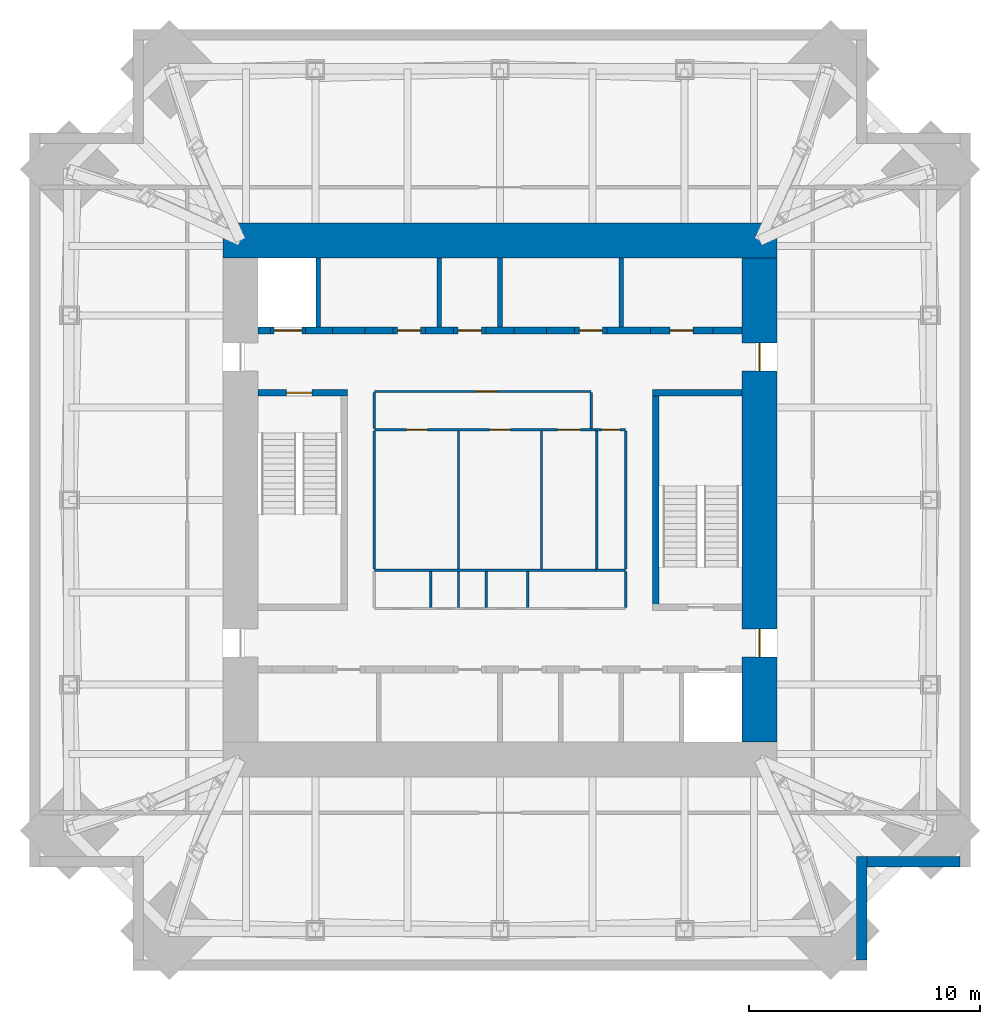
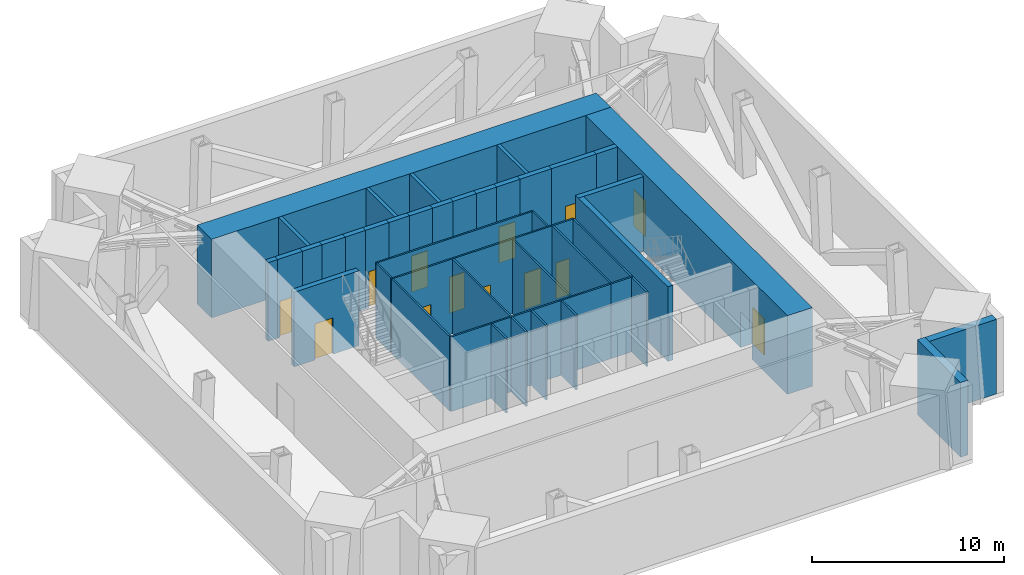
# One storey, part 4 of 6: 43 walls, 13 doors, 13 openings.
"""IFC4 building model written with IfcOpenShell, lengths in metres."""

from ifc_helpers import new_model, si_unit, direction, frame, frame_2d, origin, place, context, subcontext, project, spatial, rectangle, extrude, material, layer, layer_set, type_object, element, fill, save


model = new_model("IFC4")

# Units and contexts
model_context = context("Model", 3, precision=1e-05, world=origin(), true_north=direction((0.0, 1.0)))
body_context = subcontext(model_context, "Body", "Model", "MODEL_VIEW")
ifc_project = project(units=[si_unit("LENGTHUNIT", "METRE"), si_unit("AREAUNIT", "SQUARE_METRE"), si_unit("VOLUMEUNIT", "CUBIC_METRE"), si_unit("PLANEANGLEUNIT", "RADIAN"), si_unit("MASSUNIT", "GRAM", prefix="KILO")], contexts=[model_context])

# Site, building, storey
site_placement = place(None, origin())
site = spatial("IfcSite", under=ifc_project, at=site_placement, CompositionType="ELEMENT")
building_placement = place(site_placement, origin())
building = spatial("IfcBuilding", under=site, at=building_placement, Name="Peilmerk Tower", CompositionType="ELEMENT")
storey_placement = place(building_placement, frame((0.0, 0.0, 302.800048828125)))
storey = spatial("IfcBuildingStorey", under=building, at=storey_placement, Name="L68", CompositionType="ELEMENT", Elevation=302.800048828125)

# Walls
ifc_material_1 = material(Name="Precast concrete C45/55, board-marked finish", Category="concrete")
ifc_layer_1 = layer(ifc_material_1, 0.449951171875)
ifc_layer_set_1 = layer_set([ifc_layer_1], Name="Precast concrete C45/55, board-marked finish")
wall_type_1 = type_object("IfcWallType", Name="EW1 450 precast concrete facade wall, board-marked", PredefinedType="SOLIDWALL", material=ifc_layer_set_1)
wall_1_placement = place(storey_placement, frame((15.675048828125, -15.449951171875, 0.0), z_axis=(0.0, 0.0, 1.0), x_axis=(0.0, -1.0, 0.0)))
element("IfcWall", 1, at=wall_1_placement, inside=storey, type_object=wall_type_1, Name="Facade wall SEA L68", PredefinedType="SOLIDWALL", context=body_context, shape_type="SweptSolid", body=[
    extrude(rectangle(XDim=4.5, YDim=0.449951171875, at=frame_2d((2.25, 0.0))), origin(), (0.0, 0.0, 1.0), 4.75),
])
wall_2_placement = place(storey_placement, frame((15.89990234375, -15.675048828125, 0.0), z_axis=(0.0, 0.0, 1.0), x_axis=(1.0, 0.0, 0.0)))
element("IfcWall", 2, at=wall_2_placement, inside=storey, type_object=wall_type_1, Name="Facade wall SEB L68", PredefinedType="SOLIDWALL", context=body_context, shape_type="SweptSolid", body=[
    extrude(rectangle(XDim=4.050048828125, YDim=0.449951171875, at=frame_2d((2.02490234375, 0.0))), origin(), (0.0, 0.0, 1.0), 4.75),
])

# Wall, opening, door
ifc_material_2 = material(Name="Concrete C35/45", Category="concrete")
ifc_layer_2 = layer(ifc_material_2, 0.300048828125)
ifc_layer_set_2 = layer_set([ifc_layer_2], Name="Concrete C35/45")
wall_type_2 = type_object("IfcWallType", Name="IW3 300 concrete stair enclosure wall, EI 120", PredefinedType="SOLIDWALL", material=ifc_layer_set_2)
wall_3_placement = place(storey_placement, frame((-10.5, 4.64990234375, 0.0), z_axis=(0.0, 0.0, 1.0), x_axis=(1.0, 0.0, 0.0)))
wall_3 = element("IfcWall", 3, at=wall_3_placement, inside=storey, type_object=wall_type_2, Name="Stair 1 enclosure L68", PredefinedType="SOLIDWALL", context=body_context, shape_type="SweptSolid", body=[
    extrude(rectangle(XDim=3.89990234375, YDim=0.300048828125, at=frame_2d((1.949951171875, 0.0))), origin(), (0.0, 0.0, 1.0), 4.75),
])
opening_1_placement = place(wall_3_placement, frame((1.25, 0.0, 0.0)))
opening_1 = element("IfcOpeningElement", 4, at=opening_1_placement, cuts=wall_3, Name="Opening D4", PredefinedType="OPENING", context=body_context, shape_type="SweptSolid", body=[
    extrude(rectangle(XDim=1.10009765625, YDim=2.300048828125, at=frame_2d((0.550048828125, 1.14990234375))), frame((0.0, 0.159912109375, 0.0), z_axis=(0.0, -1.0, 0.0), x_axis=(1.0, 0.0, 0.0)), (0.0, 0.0, 1.0), 0.320068359375),
])
ifc_material_3 = material(Name="Steel door in steel frame", Category="steel")
door_type_1 = type_object("IfcDoorType", Name="D4 1100x2300 stair door, EI2 60", OperationType="SINGLE_SWING_RIGHT", PredefinedType="DOOR", material=ifc_material_3)
door_1_placement = place(opening_1_placement, frame((1.10009765625, 0.0, 0.0), z_axis=(0.0, 0.0, 1.0), x_axis=(-1.0, 0.0, 0.0)))
door_1 = element("IfcDoor", 5, at=door_1_placement, inside=storey, type_object=door_type_1, Name="Stair 1 door L68", OperationType="SINGLE_SWING_RIGHT", OverallHeight=2.300048828125, OverallWidth=1.10009765625, PredefinedType="DOOR", context=body_context, shape_type="SweptSolid", body=[
    extrude(rectangle(XDim=1.10009765625, YDim=2.300048828125, at=frame_2d((0.550048828125, 1.14990234375))), frame((0.0, 0.02490234375, 0.0), z_axis=(0.0, -1.0, 0.0), x_axis=(1.0, 0.0, 0.0)), (0.0, 0.0, 1.0), 0.050048828125),
])
fill(opening_1, door_1)

# Walls
wall_4_placement = place(storey_placement, frame((6.75, -4.800048828125, 0.0), z_axis=(0.0, 0.0, 1.0), x_axis=(0.0, 1.0, 0.0)))
element("IfcWall", 6, at=wall_4_placement, inside=storey, type_object=wall_type_2, Name="Stair 2 enclosure L68", PredefinedType="SOLIDWALL", context=body_context, shape_type="SweptSolid", body=[
    extrude(rectangle(XDim=9.60009765625, YDim=0.300048828125, at=frame_2d((4.800048828125, 0.0))), origin(), (0.0, 0.0, 1.0), 4.75),
])
wall_5_placement = place(storey_placement, frame((6.60009765625, 4.64990234375, 0.0), z_axis=(0.0, 0.0, 1.0), x_axis=(1.0, 0.0, 0.0)))
element("IfcWall", 7, at=wall_5_placement, inside=storey, type_object=wall_type_2, Name="Stair 2 enclosure L68", PredefinedType="SOLIDWALL", context=body_context, shape_type="SweptSolid", body=[
    extrude(rectangle(XDim=3.89990234375, YDim=0.300048828125, at=frame_2d((1.949951171875, 0.0))), origin(), (0.0, 0.0, 1.0), 4.75),
])

# Wall, openings, doors
ifc_material_4 = material(Name="Plasterboard on steel studs", Category="steel")
ifc_layer_3 = layer(ifc_material_4, 0.10009765625)
ifc_layer_set_3 = layer_set([ifc_layer_3], Name="Plasterboard on steel studs")
wall_type_3 = type_object("IfcWallType", Name="IW4 100 WC partition", PredefinedType="PARTITIONING", material=ifc_layer_set_3)
wall_6_placement = place(storey_placement, frame((-5.449951171875, 3.050048828125, 0.0), z_axis=(0.0, 0.0, 1.0), x_axis=(1.0, 0.0, 0.0)))
wall_6 = element("IfcWall", 8, at=wall_6_placement, inside=storey, type_object=wall_type_3, Name="WC wall L68", PredefinedType="PARTITIONING", context=body_context, shape_type="SweptSolid", body=[
    extrude(rectangle(XDim=9.599853515625, YDim=0.10009765625, at=frame_2d((4.7998046875, 0.0))), origin(), (0.0, 0.0, 1.0), 4.75),
])
opening_2_placement = place(wall_6_placement, frame((1.39990234375, 0.0, 0.0)))
opening_2 = element("IfcOpeningElement", 9, at=opening_2_placement, cuts=wall_6, Name="Opening D5", PredefinedType="OPENING", context=body_context, shape_type="SweptSolid", body=[
    extrude(rectangle(XDim=0.89990234375, YDim=2.300048828125, at=frame_2d((0.449951171875, 1.14990234375))), frame((0.0, 0.06005859375, 0.0), z_axis=(0.0, -1.0, 0.0), x_axis=(1.0, 0.0, 0.0)), (0.0, 0.0, 1.0), 0.1201171875),
])
opening_3_placement = place(wall_6_placement, frame((5.0, 0.0, 0.0)))
opening_3 = element("IfcOpeningElement", 10, at=opening_3_placement, cuts=wall_6, Name="Opening D5", PredefinedType="OPENING", context=body_context, shape_type="SweptSolid", body=[
    extrude(rectangle(XDim=0.89990234375, YDim=2.300048828125, at=frame_2d((0.449951171875, 1.14990234375))), frame((0.0, 0.06005859375, 0.0), z_axis=(0.0, -1.0, 0.0), x_axis=(1.0, 0.0, 0.0)), (0.0, 0.0, 1.0), 0.1201171875),
])
opening_4_placement = place(wall_6_placement, frame((7.949951171875, 0.0, 0.0)))
opening_4 = element("IfcOpeningElement", 11, at=opening_4_placement, cuts=wall_6, Name="Opening D6", PredefinedType="OPENING", context=body_context, shape_type="SweptSolid", body=[
    extrude(rectangle(XDim=1.0, YDim=2.300048828125, at=frame_2d((0.5, 1.14990234375))), frame((0.0, 0.06005859375, 0.0), z_axis=(0.0, -1.0, 0.0), x_axis=(1.0, 0.0, 0.0)), (0.0, 0.0, 1.0), 0.1201171875),
])
ifc_material_5 = material(Name="Timber door in steel frame", Category="steel")
door_type_2 = type_object("IfcDoorType", Name="D5 900x2300 WC door", OperationType="SINGLE_SWING_LEFT", PredefinedType="DOOR", material=ifc_material_5)
door_2_placement = place(opening_2_placement, frame((0.89990234375, 0.0, 0.0), z_axis=(0.0, 0.0, 1.0), x_axis=(-1.0, 0.0, 0.0)))
door_2 = element("IfcDoor", 12, at=door_2_placement, inside=storey, type_object=door_type_2, Name="Male toilets door L68", OperationType="SINGLE_SWING_LEFT", OverallHeight=2.300048828125, OverallWidth=0.89990234375, PredefinedType="DOOR", context=body_context, shape_type="SweptSolid", body=[
    extrude(rectangle(XDim=0.89990234375, YDim=2.300048828125, at=frame_2d((0.449951171875, 1.14990234375))), frame((0.0, 0.02490234375, 0.0), z_axis=(0.0, -1.0, 0.0), x_axis=(1.0, 0.0, 0.0)), (0.0, 0.0, 1.0), 0.050048828125),
])
fill(opening_2, door_2)
door_3_placement = place(opening_3_placement, frame((0.89990234375, 0.0, 0.0), z_axis=(0.0, 0.0, 1.0), x_axis=(-1.0, 0.0, 0.0)))
door_3 = element("IfcDoor", 13, at=door_3_placement, inside=storey, type_object=door_type_2, Name="Female toilets door L68", OperationType="SINGLE_SWING_LEFT", OverallHeight=2.300048828125, OverallWidth=0.89990234375, PredefinedType="DOOR", context=body_context, shape_type="SweptSolid", body=[
    extrude(rectangle(XDim=0.89990234375, YDim=2.300048828125, at=frame_2d((0.449951171875, 1.14990234375))), frame((0.0, 0.02490234375, 0.0), z_axis=(0.0, -1.0, 0.0), x_axis=(1.0, 0.0, 0.0)), (0.0, 0.0, 1.0), 0.050048828125),
])
fill(opening_3, door_3)
door_type_3 = type_object("IfcDoorType", Name="D6 1000x2300 accessible WC door", OperationType="SLIDING_TO_LEFT", PredefinedType="DOOR", material=ifc_material_5)
door_4_placement = place(opening_4_placement, frame((1.0, 0.0, 0.0), z_axis=(0.0, 0.0, 1.0), x_axis=(-1.0, 0.0, 0.0)))
door_4 = element("IfcDoor", 14, at=door_4_placement, inside=storey, type_object=door_type_3, Name="Accessible WC door L68", OperationType="SLIDING_TO_LEFT", OverallHeight=2.300048828125, OverallWidth=1.0, PredefinedType="DOOR", context=body_context, shape_type="SweptSolid", body=[
    extrude(rectangle(XDim=1.0, YDim=2.300048828125, at=frame_2d((0.5, 1.14990234375))), frame((0.0, 0.02490234375, 0.0), z_axis=(0.0, -1.0, 0.0), x_axis=(1.0, 0.0, 0.0)), (0.0, 0.0, 1.0), 0.050048828125),
])
fill(opening_4, door_4)

# Walls
wall_7_placement = place(storey_placement, frame((4.14990234375, -3.050048828125, 0.0), z_axis=(0.0, 0.0, 1.0), x_axis=(-1.0, 0.0, 0.0)))
element("IfcWall", 15, at=wall_7_placement, inside=storey, type_object=wall_type_3, Name="WC wall L68", PredefinedType="PARTITIONING", context=body_context, shape_type="SweptSolid", body=[
    extrude(rectangle(XDim=9.599853515625, YDim=0.10009765625, at=frame_2d((4.7998046875, 0.0))), origin(), (0.0, 0.0, 1.0), 4.75),
])
for number, where, z_axis, x_axis, name in (
    (16, (-5.449951171875, -3.0, 0.0), (0.0, 0.0, 1.0), (0.0, 1.0, 0.0), "WC wall L68"),
    (17, (-1.800048828125, -3.0, 0.0), (0.0, 0.0, 1.0), (0.0, 1.0, 0.0), "WC wall L68"),
    (18, (1.800048828125, -3.0, 0.0), (0.0, 0.0, 1.0), (0.0, 1.0, 0.0), "WC wall L68"),
):
    element("IfcWall", number, at=place(storey_placement, frame(where, z_axis=z_axis, x_axis=x_axis)), inside=storey, type_object=wall_type_3, Name=name, PredefinedType="PARTITIONING", context=body_context, shape_type="SweptSolid", body=[
        extrude(rectangle(XDim=6.0, YDim=0.10009765625, at=frame_2d((3.0, 0.0))), origin(), (0.0, 0.0, 1.0), 4.75),
    ])

# Wall, opening, door
ifc_material_6 = material(Name="Calcium silicate board on steel studs", Category="steel")
ifc_layer_4 = layer(ifc_material_6, 0.10009765625)
ifc_layer_set_4 = layer_set([ifc_layer_4], Name="Calcium silicate board on steel studs")
wall_type_4 = type_object("IfcWallType", Name="IW5 100 riser enclosure wall, EI 60", PredefinedType="PARTITIONING", material=ifc_layer_set_4)
wall_8_placement = place(storey_placement, frame((4.14990234375, 3.050048828125, 0.0), z_axis=(0.0, 0.0, 1.0), x_axis=(1.0, 0.0, 0.0)))
wall_8 = element("IfcWall", 19, at=wall_8_placement, inside=storey, type_object=wall_type_4, Name="Riser wall L68", PredefinedType="PARTITIONING", context=body_context, shape_type="SweptSolid", body=[
    extrude(rectangle(XDim=1.300048828125, YDim=0.10009765625, at=frame_2d((0.64990234375, 0.0))), origin(), (0.0, 0.0, 1.0), 4.75),
])
opening_5_placement = place(wall_8_placement, frame((0.25, 0.0, 0.0)))
opening_5 = element("IfcOpeningElement", 20, at=opening_5_placement, cuts=wall_8, Name="Opening D7", PredefinedType="OPENING", context=body_context, shape_type="SweptSolid", body=[
    extrude(rectangle(XDim=0.800048828125, YDim=2.300048828125, at=frame_2d((0.39990234375, 1.14990234375))), frame((0.0, 0.06005859375, 0.0), z_axis=(0.0, -1.0, 0.0), x_axis=(1.0, 0.0, 0.0)), (0.0, 0.0, 1.0), 0.1201171875),
])
door_type_4 = type_object("IfcDoorType", Name="D7 800x2300 riser access door, EI2 60", OperationType="SINGLE_SWING_RIGHT", PredefinedType="DOOR", material=ifc_material_3)
door_5_placement = place(opening_5_placement, frame((0.800048828125, 0.0, 0.0), z_axis=(0.0, 0.0, 1.0), x_axis=(-1.0, 0.0, 0.0)))
door_5 = element("IfcDoor", 21, at=door_5_placement, inside=storey, type_object=door_type_4, Name="Plumbing riser door L68", OperationType="SINGLE_SWING_RIGHT", OverallHeight=2.300048828125, OverallWidth=0.800048828125, PredefinedType="DOOR", context=body_context, shape_type="SweptSolid", body=[
    extrude(rectangle(XDim=0.800048828125, YDim=2.300048828125, at=frame_2d((0.39990234375, 1.14990234375))), frame((0.0, 0.02490234375, 0.0), z_axis=(0.0, -1.0, 0.0), x_axis=(1.0, 0.0, 0.0)), (0.0, 0.0, 1.0), 0.050048828125),
])
fill(opening_5, door_5)

# Walls
wall_9_placement = place(storey_placement, frame((5.449951171875, -3.050048828125, 0.0), z_axis=(0.0, 0.0, 1.0), x_axis=(-1.0, 0.0, 0.0)))
element("IfcWall", 22, at=wall_9_placement, inside=storey, type_object=wall_type_4, Name="Riser wall L68", PredefinedType="PARTITIONING", context=body_context, shape_type="SweptSolid", body=[
    extrude(rectangle(XDim=1.300048828125, YDim=0.10009765625, at=frame_2d((0.64990234375, 0.0))), origin(), (0.0, 0.0, 1.0), 4.75),
])
for number, where, z_axis, x_axis, name in (
    (23, (5.449951171875, 3.0, 0.0), (0.0, 0.0, 1.0), (0.0, -1.0, 0.0), "Riser wall L68"),
    (24, (4.199951171875, -3.0, 0.0), (0.0, 0.0, 1.0), (0.0, 1.0, 0.0), "Riser wall L68"),
):
    element("IfcWall", number, at=place(storey_placement, frame(where, z_axis=z_axis, x_axis=x_axis)), inside=storey, type_object=wall_type_4, Name=name, PredefinedType="PARTITIONING", context=body_context, shape_type="SweptSolid", body=[
        extrude(rectangle(XDim=6.0, YDim=0.10009765625, at=frame_2d((3.0, 0.0))), origin(), (0.0, 0.0, 1.0), 4.75),
    ])
for number, where, z_axis, x_axis, name in (
    (25, (5.449951171875, -3.10009765625, 0.0), (0.0, 0.0, 1.0), (0.0, -1.0, 0.0), "Riser wall L68"),
    (26, (-3.0, -3.10009765625, 0.0), (0.0, 0.0, 1.0), (0.0, -1.0, 0.0), "Riser wall L68"),
    (27, (-1.800048828125, -3.10009765625, 0.0), (0.0, 0.0, 1.0), (0.0, -1.0, 0.0), "Riser wall L68"),
    (28, (-0.60009765625, -3.10009765625, 0.0), (0.0, 0.0, 1.0), (0.0, -1.0, 0.0), "Riser wall L68"),
    (29, (1.199951171875, -3.10009765625, 0.0), (0.0, 0.0, 1.0), (0.0, -1.0, 0.0), "Riser wall L68"),
):
    element("IfcWall", number, at=place(storey_placement, frame(where, z_axis=z_axis, x_axis=x_axis)), inside=storey, type_object=wall_type_4, Name=name, PredefinedType="PARTITIONING", context=body_context, shape_type="SweptSolid", body=[
        extrude(rectangle(XDim=1.5498046875, YDim=0.10009765625, at=frame_2d((0.77490234375, 0.0))), origin(), (0.0, 0.0, 1.0), 4.75),
    ])

# Wall, opening, door
ifc_material_7 = material(Name="Fire-resisting plasterboard on steel studs", Category="steel")
ifc_layer_5 = layer(ifc_material_7, 0.10009765625)
ifc_layer_set_5 = layer_set([ifc_layer_5], Name="Fire-resisting plasterboard on steel studs")
wall_type_5 = type_object("IfcWallType", Name="IW9 100 WC lobby wall, EI 30", PredefinedType="PARTITIONING", material=ifc_layer_set_5)
wall_10_placement = place(storey_placement, frame((-5.449951171875, 4.699951171875, 0.0), z_axis=(0.0, 0.0, 1.0), x_axis=(1.0, 0.0, 0.0)))
wall_10 = element("IfcWall", 30, at=wall_10_placement, inside=storey, type_object=wall_type_5, Name="WC lobby wall L68", PredefinedType="PARTITIONING", context=body_context, shape_type="SweptSolid", body=[
    extrude(rectangle(XDim=9.39990234375, YDim=0.10009765625, at=frame_2d((4.699951171875, 0.0))), origin(), (0.0, 0.0, 1.0), 4.75),
])
opening_6_placement = place(wall_10_placement, frame((4.39990234375, 0.0, 0.0)))
opening_6 = element("IfcOpeningElement", 31, at=opening_6_placement, cuts=wall_10, Name="Opening D11", PredefinedType="OPENING", context=body_context, shape_type="SweptSolid", body=[
    extrude(rectangle(XDim=0.89990234375, YDim=2.300048828125, at=frame_2d((0.449951171875, 1.14990234375))), frame((0.0, 0.06005859375, 0.0), z_axis=(0.0, -1.0, 0.0), x_axis=(1.0, 0.0, 0.0)), (0.0, 0.0, 1.0), 0.1201171875),
])
door_type_5 = type_object("IfcDoorType", Name="D11 900x2300 WC lobby door, EI2 30", OperationType="SINGLE_SWING_LEFT", PredefinedType="DOOR", material=ifc_material_5)
door_6_placement = place(opening_6_placement, frame((0.89990234375, 0.0, 0.0), z_axis=(0.0, 0.0, 1.0), x_axis=(-1.0, 0.0, 0.0)))
door_6 = element("IfcDoor", 32, at=door_6_placement, inside=storey, type_object=door_type_5, Name="WC lobby door L68", OperationType="SINGLE_SWING_LEFT", OverallHeight=2.300048828125, OverallWidth=0.89990234375, PredefinedType="DOOR", context=body_context, shape_type="SweptSolid", body=[
    extrude(rectangle(XDim=0.89990234375, YDim=2.300048828125, at=frame_2d((0.449951171875, 1.14990234375))), frame((0.0, 0.02490234375, 0.0), z_axis=(0.0, -1.0, 0.0), x_axis=(1.0, 0.0, 0.0)), (0.0, 0.0, 1.0), 0.050048828125),
])
fill(opening_6, door_6)

# Walls
for number, where, z_axis, x_axis, name in (
    (33, (-5.449951171875, 3.10009765625, 0.0), (0.0, 0.0, 1.0), (0.0, 1.0, 0.0), "WC lobby wall L68"),
    (34, (3.949951171875, 3.10009765625, 0.0), (0.0, 0.0, 1.0), (0.0, 1.0, 0.0), "WC lobby wall L68"),
):
    element("IfcWall", number, at=place(storey_placement, frame(where, z_axis=z_axis, x_axis=x_axis)), inside=storey, type_object=wall_type_5, Name=name, PredefinedType="PARTITIONING", context=body_context, shape_type="SweptSolid", body=[
        extrude(rectangle(XDim=1.5498046875, YDim=0.10009765625, at=frame_2d((0.77490234375, 0.0))), origin(), (0.0, 0.0, 1.0), 4.75),
    ])
ifc_material_8 = material(Name="Calcium silicate block", Category="masonry")
ifc_layer_6 = layer(ifc_material_8, 0.199951171875)
ifc_layer_set_6 = layer_set([ifc_layer_6], Name="Calcium silicate block")
wall_type_6 = type_object("IfcWallType", Name="SH1 200 shaft dividing wall, EI 120", PredefinedType="PARTITIONING", material=ifc_layer_set_6)
for number, where, z_axis, x_axis, name in (
    (35, (-7.875, 7.5, 0.0), (0.0, 0.0, 1.0), (0.0, 1.0, 0.0), "Shaft wall N FL1 L68"),
    (36, (-2.625, 7.5, 0.0), (0.0, 0.0, 1.0), (0.0, 1.0, 0.0), "Shaft wall N A2 L68"),
    (37, (0.0, 7.5, 0.0), (0.0, 0.0, 1.0), (0.0, 1.0, 0.0), "Shaft wall N A3 L68"),
    (38, (5.25, 7.5, 0.0), (0.0, 0.0, 1.0), (0.0, 1.0, 0.0), "Shaft wall N S2 L68"),
):
    element("IfcWall", number, at=place(storey_placement, frame(where, z_axis=z_axis, x_axis=x_axis)), inside=storey, type_object=wall_type_6, Name=name, PredefinedType="PARTITIONING", context=body_context, shape_type="SweptSolid", body=[
        extrude(rectangle(XDim=3.0, YDim=0.199951171875, at=frame_2d((1.5, 0.0))), origin(), (0.0, 0.0, 1.0), 5.0),
    ])

# Wall, opening, door
ifc_layer_7 = layer(ifc_material_8, 0.300048828125)
ifc_layer_set_7 = layer_set([ifc_layer_7], Name="Calcium silicate block")
wall_type_7 = type_object("IfcWallType", Name="SH2 300 lift landing door panel, EI 120", PredefinedType="PARTITIONING", material=ifc_layer_set_7)
wall_11_placement = place(storey_placement, frame((-9.9375, 7.35009765625, 0.0), z_axis=(0.0, 0.0, 1.0), x_axis=(1.0, 0.0, 0.0)))
wall_11 = element("IfcWall", 39, at=wall_11_placement, inside=storey, type_object=wall_type_7, Name="Lift door panel N FL1 L68", PredefinedType="PARTITIONING", context=body_context, shape_type="SweptSolid", body=[
    extrude(rectangle(XDim=1.5, YDim=0.300048828125, at=frame_2d((0.75, 0.0))), origin(), (0.0, 0.0, 1.0), 5.0),
])
opening_7_placement = place(wall_11_placement, frame((0.14990234375, 0.0, 0.0)))
opening_7 = element("IfcOpeningElement", 40, at=opening_7_placement, cuts=wall_11, Name="Opening LD2", PredefinedType="OPENING", context=body_context, shape_type="SweptSolid", body=[
    extrude(rectangle(XDim=1.199951171875, YDim=2.300048828125, at=frame_2d((0.60009765625, 1.14990234375))), frame((0.0, 0.159912109375, 0.0), z_axis=(0.0, -1.0, 0.0), x_axis=(1.0, 0.0, 0.0)), (0.0, 0.0, 1.0), 0.320068359375),
])
ifc_material_9 = material(Name="Stainless steel landing door", Category="steel")
door_type_6 = type_object("IfcDoorType", Name="LD2 1200x2300 lift landing door, sliding, EI2 60", OperationType="SLIDING_TO_LEFT", PredefinedType="DOOR", material=ifc_material_9)
door_7_placement = place(opening_7_placement, frame((1.199951171875, 0.0, 0.0), z_axis=(0.0, 0.0, 1.0), x_axis=(-1.0, 0.0, 0.0)))
door_7 = element("IfcDoor", 41, at=door_7_placement, inside=storey, type_object=door_type_6, Name="Lift landing door FL1 L68", OperationType="SLIDING_TO_LEFT", OverallHeight=2.300048828125, OverallWidth=1.199951171875, PredefinedType="DOOR", context=body_context, shape_type="SweptSolid", body=[
    extrude(rectangle(XDim=1.199951171875, YDim=2.300048828125, at=frame_2d((0.60009765625, 1.14990234375))), frame((0.0, 0.02490234375, 0.0), z_axis=(0.0, -1.0, 0.0), x_axis=(1.0, 0.0, 0.0)), (0.0, 0.0, 1.0), 0.050048828125),
])
fill(opening_7, door_7)

# Wall
wall_12_placement = place(storey_placement, frame((-7.262451171875, 7.35009765625, 0.0), z_axis=(0.0, 0.0, 1.0), x_axis=(1.0, 0.0, 0.0)))
element("IfcWall", 42, at=wall_12_placement, inside=storey, type_object=wall_type_7, Name="Lift door panel N A1 L68", PredefinedType="PARTITIONING", context=body_context, shape_type="SweptSolid", body=[
    extrude(rectangle(XDim=1.39990234375, YDim=0.300048828125, at=frame_2d((0.699951171875, 0.0))), origin(), (0.0, 0.0, 1.0), 5.0),
])

# Wall, opening, door
wall_13_placement = place(storey_placement, frame((-4.637451171875, 7.35009765625, 0.0), z_axis=(0.0, 0.0, 1.0), x_axis=(1.0, 0.0, 0.0)))
wall_13 = element("IfcWall", 43, at=wall_13_placement, inside=storey, type_object=wall_type_7, Name="Lift door panel N A2 L68", PredefinedType="PARTITIONING", context=body_context, shape_type="SweptSolid", body=[
    extrude(rectangle(XDim=1.39990234375, YDim=0.300048828125, at=frame_2d((0.699951171875, 0.0))), origin(), (0.0, 0.0, 1.0), 5.0),
])
opening_8_placement = place(wall_13_placement, frame((0.199951171875, 0.0, 0.0)))
opening_8 = element("IfcOpeningElement", 44, at=opening_8_placement, cuts=wall_13, Name="Opening D10", PredefinedType="OPENING", context=body_context, shape_type="SweptSolid", body=[
    extrude(rectangle(XDim=1.0, YDim=2.300048828125, at=frame_2d((0.5, 1.14990234375))), frame((0.0, 0.159912109375, 0.0), z_axis=(0.0, -1.0, 0.0), x_axis=(1.0, 0.0, 0.0)), (0.0, 0.0, 1.0), 0.320068359375),
])
door_type_7 = type_object("IfcDoorType", Name="D10 1000x2300 core room door, EI2 60", OperationType="SINGLE_SWING_RIGHT", PredefinedType="DOOR", material=ifc_material_3)
door_8_placement = place(opening_8_placement, origin())
door_8 = element("IfcDoor", 45, at=door_8_placement, inside=storey, type_object=door_type_7, Name="Door Water plant room L68", OperationType="SINGLE_SWING_RIGHT", OverallHeight=2.300048828125, OverallWidth=1.0, PredefinedType="DOOR", context=body_context, shape_type="SweptSolid", body=[
    extrude(rectangle(XDim=1.0, YDim=2.300048828125, at=frame_2d((0.5, 1.14990234375))), frame((0.0, 0.02490234375, 0.0), z_axis=(0.0, -1.0, 0.0), x_axis=(1.0, 0.0, 0.0)), (0.0, 0.0, 1.0), 0.050048828125),
])
fill(opening_8, door_8)

wall_14_placement = place(storey_placement, frame((-2.012451171875, 7.35009765625, 0.0), z_axis=(0.0, 0.0, 1.0), x_axis=(1.0, 0.0, 0.0)))
wall_14 = element("IfcWall", 46, at=wall_14_placement, inside=storey, type_object=wall_type_7, Name="Lift door panel N A3 L68", PredefinedType="PARTITIONING", context=body_context, shape_type="SweptSolid", body=[
    extrude(rectangle(XDim=1.39990234375, YDim=0.300048828125, at=frame_2d((0.699951171875, 0.0))), origin(), (0.0, 0.0, 1.0), 5.0),
])
opening_9_placement = place(wall_14_placement, frame((0.199951171875, 0.0, 0.0)))
opening_9 = element("IfcOpeningElement", 47, at=opening_9_placement, cuts=wall_14, Name="Opening D10", PredefinedType="OPENING", context=body_context, shape_type="SweptSolid", body=[
    extrude(rectangle(XDim=1.0, YDim=2.300048828125, at=frame_2d((0.5, 1.14990234375))), frame((0.0, 0.159912109375, 0.0), z_axis=(0.0, -1.0, 0.0), x_axis=(1.0, 0.0, 0.0)), (0.0, 0.0, 1.0), 0.320068359375),
])
door_9_placement = place(opening_9_placement, origin())
door_9 = element("IfcDoor", 48, at=door_9_placement, inside=storey, type_object=door_type_7, Name="Door Pressurisation plant room L68", OperationType="SINGLE_SWING_RIGHT", OverallHeight=2.300048828125, OverallWidth=1.0, PredefinedType="DOOR", context=body_context, shape_type="SweptSolid", body=[
    extrude(rectangle(XDim=1.0, YDim=2.300048828125, at=frame_2d((0.5, 1.14990234375))), frame((0.0, 0.02490234375, 0.0), z_axis=(0.0, -1.0, 0.0), x_axis=(1.0, 0.0, 0.0)), (0.0, 0.0, 1.0), 0.050048828125),
])
fill(opening_9, door_9)

# Wall
wall_15_placement = place(storey_placement, frame((0.612548828125, 7.35009765625, 0.0), z_axis=(0.0, 0.0, 1.0), x_axis=(1.0, 0.0, 0.0)))
element("IfcWall", 49, at=wall_15_placement, inside=storey, type_object=wall_type_7, Name="Lift door panel N S1 L68", PredefinedType="PARTITIONING", context=body_context, shape_type="SweptSolid", body=[
    extrude(rectangle(XDim=1.39990234375, YDim=0.300048828125, at=frame_2d((0.699951171875, 0.0))), origin(), (0.0, 0.0, 1.0), 5.0),
])

# Wall, opening, door
wall_16_placement = place(storey_placement, frame((3.237548828125, 7.35009765625, 0.0), z_axis=(0.0, 0.0, 1.0), x_axis=(1.0, 0.0, 0.0)))
wall_16 = element("IfcWall", 50, at=wall_16_placement, inside=storey, type_object=wall_type_7, Name="Lift door panel N S2 L68", PredefinedType="PARTITIONING", context=body_context, shape_type="SweptSolid", body=[
    extrude(rectangle(XDim=1.39990234375, YDim=0.300048828125, at=frame_2d((0.699951171875, 0.0))), origin(), (0.0, 0.0, 1.0), 5.0),
])
opening_10_placement = place(wall_16_placement, frame((0.199951171875, 0.0, 0.0)))
opening_10 = element("IfcOpeningElement", 51, at=opening_10_placement, cuts=wall_16, Name="Opening D10", PredefinedType="OPENING", context=body_context, shape_type="SweptSolid", body=[
    extrude(rectangle(XDim=1.0, YDim=2.300048828125, at=frame_2d((0.5, 1.14990234375))), frame((0.0, 0.159912109375, 0.0), z_axis=(0.0, -1.0, 0.0), x_axis=(1.0, 0.0, 0.0)), (0.0, 0.0, 1.0), 0.320068359375),
])
door_10_placement = place(opening_10_placement, origin())
door_10 = element("IfcDoor", 52, at=door_10_placement, inside=storey, type_object=door_type_7, Name="Door Electrical plant room L68", OperationType="SINGLE_SWING_RIGHT", OverallHeight=2.300048828125, OverallWidth=1.0, PredefinedType="DOOR", context=body_context, shape_type="SweptSolid", body=[
    extrude(rectangle(XDim=1.0, YDim=2.300048828125, at=frame_2d((0.5, 1.14990234375))), frame((0.0, 0.02490234375, 0.0), z_axis=(0.0, -1.0, 0.0), x_axis=(1.0, 0.0, 0.0)), (0.0, 0.0, 1.0), 0.050048828125),
])
fill(opening_10, door_10)

wall_17_placement = place(storey_placement, frame((6.52490234375, 7.35009765625, 0.0), z_axis=(0.0, 0.0, 1.0), x_axis=(1.0, 0.0, 0.0)))
wall_17 = element("IfcWall", 53, at=wall_17_placement, inside=storey, type_object=wall_type_7, Name="Lift door panel N GL1 L68", PredefinedType="PARTITIONING", context=body_context, shape_type="SweptSolid", body=[
    extrude(rectangle(XDim=2.7001953125, YDim=0.300048828125, at=frame_2d((1.35009765625, 0.0))), origin(), (0.0, 0.0, 1.0), 5.0),
])
opening_11_placement = place(wall_17_placement, frame((0.85009765625, 0.0, 0.0)))
opening_11 = element("IfcOpeningElement", 54, at=opening_11_placement, cuts=wall_17, Name="Opening D10", PredefinedType="OPENING", context=body_context, shape_type="SweptSolid", body=[
    extrude(rectangle(XDim=1.0, YDim=2.300048828125, at=frame_2d((0.5, 1.14990234375))), frame((0.0, 0.159912109375, 0.0), z_axis=(0.0, -1.0, 0.0), x_axis=(1.0, 0.0, 0.0)), (0.0, 0.0, 1.0), 0.320068359375),
])
door_11_placement = place(opening_11_placement, origin())
door_11 = element("IfcDoor", 55, at=door_11_placement, inside=storey, type_object=door_type_7, Name="Door Sprinkler valve plant room L68", OperationType="SINGLE_SWING_RIGHT", OverallHeight=2.300048828125, OverallWidth=1.0, PredefinedType="DOOR", context=body_context, shape_type="SweptSolid", body=[
    extrude(rectangle(XDim=1.0, YDim=2.300048828125, at=frame_2d((0.5, 1.14990234375))), frame((0.0, 0.02490234375, 0.0), z_axis=(0.0, -1.0, 0.0), x_axis=(1.0, 0.0, 0.0)), (0.0, 0.0, 1.0), 0.050048828125),
])
fill(opening_11, door_11)

# Wall
ifc_material_10 = material(Name="Concrete C55/67", Category="concrete")
ifc_layer_8 = layer(ifc_material_10, 1.5)
ifc_layer_set_8 = layer_set([ifc_layer_8], Name="Concrete C55/67")
wall_type_8 = type_object("IfcWallType", Name="SW1 1500 core wall", PredefinedType="SHEAR", material=ifc_layer_set_8)
wall_18_placement = place(storey_placement, frame((-12.0, 11.25, 0.0), z_axis=(0.0, 0.0, 1.0), x_axis=(1.0, 0.0, 0.0)))
element("IfcWall", 56, at=wall_18_placement, inside=storey, type_object=wall_type_8, Name="Core wall N L68", PredefinedType="SHEAR", context=body_context, shape_type="SweptSolid", body=[
    extrude(rectangle(XDim=24.0, YDim=1.5, at=frame_2d((12.0, 0.0))), origin(), (0.0, 0.0, 1.0), 5.0),
])

# Wall, openings, doors
wall_19_placement = place(storey_placement, frame((11.25, 10.5, 0.0), z_axis=(0.0, 0.0, 1.0), x_axis=(0.0, -1.0, 0.0)))
wall_19 = element("IfcWall", 57, at=wall_19_placement, inside=storey, type_object=wall_type_8, Name="Core wall E L68", PredefinedType="SHEAR", context=body_context, shape_type="SweptSolid", body=[
    extrude(rectangle(XDim=21.0, YDim=1.5, at=frame_2d((10.5, 0.0))), origin(), (0.0, 0.0, 1.0), 5.0),
])
opening_12_placement = place(wall_19_placement, frame((3.699951171875, 0.0, 0.0)))
opening_12 = element("IfcOpeningElement", 58, at=opening_12_placement, cuts=wall_19, Name="Opening D3", PredefinedType="OPENING", context=body_context, shape_type="SweptSolid", body=[
    extrude(rectangle(XDim=1.199951171875, YDim=2.300048828125, at=frame_2d((0.60009765625, 1.14990234375))), frame((0.0, 0.760009765625, 0.0), z_axis=(0.0, -1.0, 0.0), x_axis=(1.0, 0.0, 0.0)), (0.0, 0.0, 1.0), 1.52001953125),
])
opening_13_placement = place(wall_19_placement, frame((16.10009765625, 0.0, 0.0)))
opening_13 = element("IfcOpeningElement", 59, at=opening_13_placement, cuts=wall_19, Name="Opening D3", PredefinedType="OPENING", context=body_context, shape_type="SweptSolid", body=[
    extrude(rectangle(XDim=1.199951171875, YDim=2.300048828125, at=frame_2d((0.60009765625, 1.14990234375))), frame((0.0, 0.760009765625, 0.0), z_axis=(0.0, -1.0, 0.0), x_axis=(1.0, 0.0, 0.0)), (0.0, 0.0, 1.0), 1.52001953125),
])
door_type_8 = type_object("IfcDoorType", Name="D3 1200x2300 core door, EI2 60", OperationType="SINGLE_SWING_LEFT", PredefinedType="DOOR", material=ifc_material_3)
door_12_placement = place(opening_12_placement, frame((1.199951171875, 0.0, 0.0), z_axis=(0.0, 0.0, 1.0), x_axis=(-1.0, 0.0, 0.0)))
door_12 = element("IfcDoor", 60, at=door_12_placement, inside=storey, type_object=door_type_8, Name="Core door L68", OperationType="SINGLE_SWING_LEFT", OverallHeight=2.300048828125, OverallWidth=1.199951171875, PredefinedType="DOOR", context=body_context, shape_type="SweptSolid", body=[
    extrude(rectangle(XDim=1.199951171875, YDim=2.300048828125, at=frame_2d((0.60009765625, 1.14990234375))), frame((0.0, 0.02490234375, 0.0), z_axis=(0.0, -1.0, 0.0), x_axis=(1.0, 0.0, 0.0)), (0.0, 0.0, 1.0), 0.050048828125),
])
fill(opening_12, door_12)
door_13_placement = place(opening_13_placement, frame((1.199951171875, 0.0, 0.0), z_axis=(0.0, 0.0, 1.0), x_axis=(-1.0, 0.0, 0.0)))
door_13 = element("IfcDoor", 61, at=door_13_placement, inside=storey, type_object=door_type_8, Name="Core door L68", OperationType="SINGLE_SWING_LEFT", OverallHeight=2.300048828125, OverallWidth=1.199951171875, PredefinedType="DOOR", context=body_context, shape_type="SweptSolid", body=[
    extrude(rectangle(XDim=1.199951171875, YDim=2.300048828125, at=frame_2d((0.60009765625, 1.14990234375))), frame((0.0, 0.02490234375, 0.0), z_axis=(0.0, -1.0, 0.0), x_axis=(1.0, 0.0, 0.0)), (0.0, 0.0, 1.0), 0.050048828125),
])
fill(opening_13, door_13)

# Walls
ifc_layer_9 = layer(ifc_material_10, 0.300048828125)
ifc_layer_set_9 = layer_set([ifc_layer_9], Name="Concrete C55/67")
wall_type_9 = type_object("IfcWallType", Name="SW2 300 lift bank pier", PredefinedType="SHEAR", material=ifc_layer_set_9)
wall_20_placement = place(storey_placement, frame((-10.5, 7.35009765625, 0.0), z_axis=(0.0, 0.0, 1.0), x_axis=(1.0, 0.0, 0.0)))
element("IfcWall", 62, at=wall_20_placement, inside=storey, type_object=wall_type_9, Name="Lift bank pier N L68", PredefinedType="SHEAR", context=body_context, shape_type="SweptSolid", body=[
    extrude(rectangle(XDim=0.5625, YDim=0.300048828125, at=frame_2d((0.28125, 0.0))), origin(), (0.0, 0.0, 1.0), 5.0),
])
wall_21_placement = place(storey_placement, frame((-8.4375, 7.35009765625, 0.0), z_axis=(0.0, 0.0, 1.0), x_axis=(1.0, 0.0, 0.0)))
element("IfcWall", 63, at=wall_21_placement, inside=storey, type_object=wall_type_9, Name="Lift bank pier N L68", PredefinedType="SHEAR", context=body_context, shape_type="SweptSolid", body=[
    extrude(rectangle(XDim=1.175048828125, YDim=0.300048828125, at=frame_2d((0.58740234375, 0.0))), origin(), (0.0, 0.0, 1.0), 5.0),
])
for number, where, z_axis, x_axis, name in (
    (64, (-5.862548828125, 7.35009765625, 0.0), (0.0, 0.0, 1.0), (1.0, 0.0, 0.0), "Lift bank pier N L68"),
    (65, (-3.237548828125, 7.35009765625, 0.0), (0.0, 0.0, 1.0), (1.0, 0.0, 0.0), "Lift bank pier N L68"),
    (66, (-0.612548828125, 7.35009765625, 0.0), (0.0, 0.0, 1.0), (1.0, 0.0, 0.0), "Lift bank pier N L68"),
    (67, (2.012451171875, 7.35009765625, 0.0), (0.0, 0.0, 1.0), (1.0, 0.0, 0.0), "Lift bank pier N L68"),
):
    element("IfcWall", number, at=place(storey_placement, frame(where, z_axis=z_axis, x_axis=x_axis)), inside=storey, type_object=wall_type_9, Name=name, PredefinedType="SHEAR", context=body_context, shape_type="SweptSolid", body=[
        extrude(rectangle(XDim=1.22509765625, YDim=0.300048828125, at=frame_2d((0.612548828125, 0.0))), origin(), (0.0, 0.0, 1.0), 5.0),
    ])
wall_22_placement = place(storey_placement, frame((4.637451171875, 7.35009765625, 0.0), z_axis=(0.0, 0.0, 1.0), x_axis=(1.0, 0.0, 0.0)))
element("IfcWall", 68, at=wall_22_placement, inside=storey, type_object=wall_type_9, Name="Lift bank pier N L68", PredefinedType="SHEAR", context=body_context, shape_type="SweptSolid", body=[
    extrude(rectangle(XDim=1.887451171875, YDim=0.300048828125, at=frame_2d((0.94384765625, 0.0))), origin(), (0.0, 0.0, 1.0), 5.0),
])
wall_23_placement = place(storey_placement, frame((9.22509765625, 7.35009765625, 0.0), z_axis=(0.0, 0.0, 1.0), x_axis=(1.0, 0.0, 0.0)))
element("IfcWall", 69, at=wall_23_placement, inside=storey, type_object=wall_type_9, Name="Lift bank pier N L68", PredefinedType="SHEAR", context=body_context, shape_type="SweptSolid", body=[
    extrude(rectangle(XDim=1.27490234375, YDim=0.300048828125, at=frame_2d((0.637451171875, 0.0))), origin(), (0.0, 0.0, 1.0), 5.0),
])

save(model, "model.ifc")
